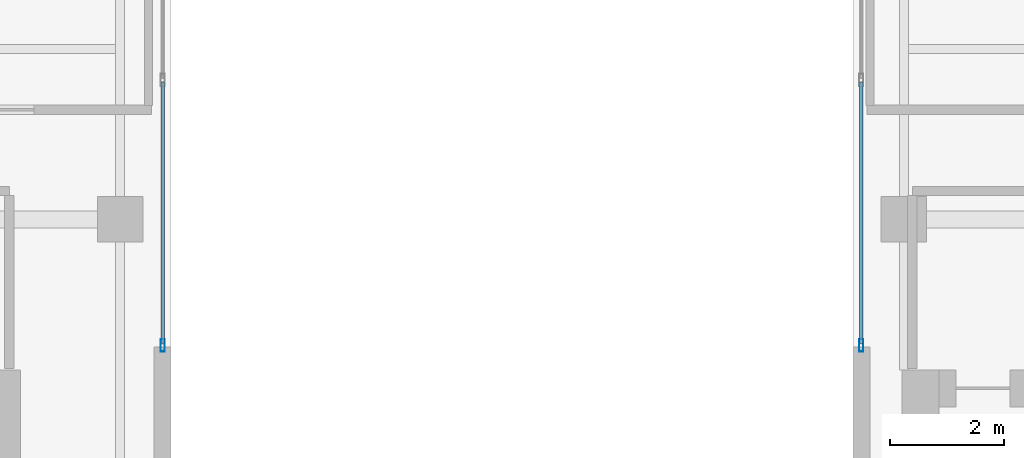
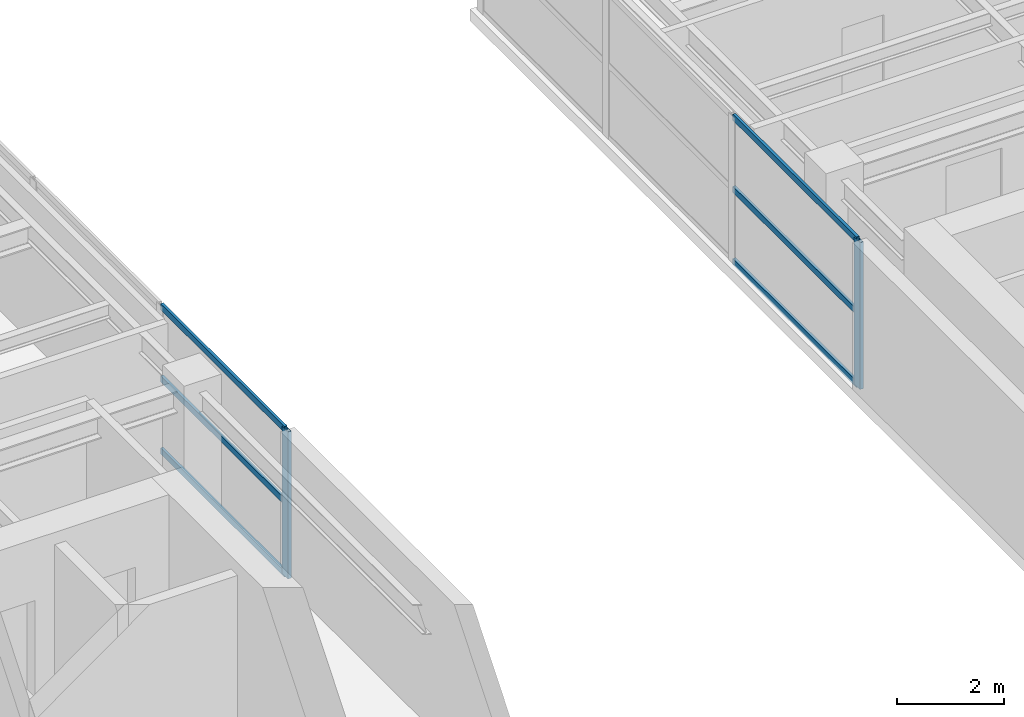
# One storey, part 9 of 22: 8 members, 2 elements without a shape of their own.
"""IFC4 building model written with IfcOpenShell, lengths in metres."""

import ifcopenshell
import ifcopenshell.guid

model = None  # the IFC model being written
_history = None  # IfcOwnerHistory: only IFC2X3 demands one
_inside = {}  # id of a spatial element -> (the spatial element, [elements in it])
_under = {}  # id of a project, library or spatial element -> (it, [spatial elements below it])
_declared = {}  # id of a project -> (the project, [libraries it declares])
_typed = {}  # id of a type object -> (the type object, [elements of that type])
_made_of = {}  # id of a material, layer set ... -> (it, [elements and type objects made of it])


def new_model(schema):
    """Start an empty IFC model of exactly this schema.

    Asked for "IFC4X3", IfcOpenShell would pick the latest addendum, in which some entities
    have other attributes; the version numbers below select the first issue.
    IFC2X3 requires an IfcOwnerHistory on every rooted entity: one is made here for all.
    """
    global model, _history
    if schema == "IFC4X3":
        model = ifcopenshell.file(schema_version=(4, 3, 0, 0))
    else:
        model = ifcopenshell.file(schema=schema)
    _inside.clear()
    _under.clear()
    _declared.clear()
    _typed.clear()
    _made_of.clear()
    _history = None
    if model.schema == "IFC2X3":
        org = make("IfcOrganization", Name="unknown")
        user = make(
            "IfcPersonAndOrganization",
            ThePerson=make("IfcPerson", FamilyName="unknown"),
            TheOrganization=org,
        )
        app = make(
            "IfcApplication",
            ApplicationDeveloper=org,
            Version="unknown",
            ApplicationFullName="unknown",
            ApplicationIdentifier="unknown",
        )
        _history = make(
            "IfcOwnerHistory",
            OwningUser=user,
            OwningApplication=app,
            ChangeAction="ADDED",
            CreationDate=0,
        )
    return model


def make(cls, **values):
    """One entity of the class cls with the attributes given. An attribute that is None is left unset."""
    return model.create_entity(
        cls, **{name: value for name, value in values.items() if value is not None}
    )


def rooted(cls, **values):
    """An entity with a GlobalId (a new one), such as an element, a storey or a relation."""
    return make(cls, GlobalId=ifcopenshell.guid.new(), OwnerHistory=_history, **values)


def si_unit(unit_type, name, prefix=None):
    """IfcSIUnit, for example si_unit("LENGTHUNIT", "METRE", prefix="MILLI")."""
    return make("IfcSIUnit", UnitType=unit_type, Prefix=prefix, Name=name)


def assignment(units):
    """IfcUnitAssignment: the units of a project."""
    return None if units is None else make("IfcUnitAssignment", Units=units)


def point(xyz):
    """IfcCartesianPoint."""
    return None if xyz is None else make("IfcCartesianPoint", Coordinates=xyz)


def direction(xyz):
    """IfcDirection."""
    return None if xyz is None else make("IfcDirection", DirectionRatios=xyz)


def frame(location, z_axis=None, x_axis=None):
    """IfcAxis2Placement3D, a coordinate frame: its origin and axes. An axis left out is left unset."""
    return make(
        "IfcAxis2Placement3D",
        Location=point(location),
        Axis=direction(z_axis),
        RefDirection=direction(x_axis),
    )


def frame_2d(location, x_axis=None):
    """IfcAxis2Placement2D, a coordinate frame in the plane: its origin and x axis."""
    return make(
        "IfcAxis2Placement2D", Location=point(location), RefDirection=direction(x_axis)
    )


def origin():
    """The frame at (0, 0, 0) with its axes left unset."""
    return frame((0.0, 0.0, 0.0))


def origin_2d():
    """The frame at (0, 0) in the plane with its x axis left unset."""
    return frame_2d((0.0, 0.0))


def place(relative_to, where):
    """IfcLocalPlacement: puts the frame where relative to a parent placement (None: the world)."""
    return make(
        "IfcLocalPlacement", PlacementRelTo=relative_to, RelativePlacement=where
    )


def context(
    kind, dimensions, precision=None, world=None, true_north=None, identifier=None
):
    """IfcGeometricRepresentationContext, for example the 3D "Model" context."""
    return make(
        "IfcGeometricRepresentationContext",
        ContextIdentifier=identifier,
        ContextType=kind,
        CoordinateSpaceDimension=dimensions,
        Precision=precision,
        WorldCoordinateSystem=world,
        TrueNorth=true_north,
    )


def subcontext(parent, identifier, kind, view, scale=None):
    """IfcGeometricRepresentationSubContext, for example "Body" below "Model"."""
    return make(
        "IfcGeometricRepresentationSubContext",
        ContextIdentifier=identifier,
        ContextType=kind,
        ParentContext=parent,
        TargetScale=scale,
        TargetView=view,
    )


def project(units=None, contexts=None):
    """IfcProject with its units and contexts."""
    return rooted(
        "IfcProject",
        Name="project",
        RepresentationContexts=contexts,
        UnitsInContext=assignment(units),
    )


def spatial(cls, under=None, at=None, **own):
    """A site, building, storey or space (cls), placed at a placement, below another one or the project."""
    s = rooted(cls, ObjectPlacement=at, **own)
    if under is not None:
        _under.setdefault(under.id(), (under, []))[1].append(s)
    return s


def profile(cls, at=None, kind="AREA", **sizes):
    """A parametric profile (cls). Its sizes go by their IFC names, for example OverallWidth=200.0."""
    return make(cls, ProfileType=kind, Position=at, **sizes)


def hollow_rectangle(**sizes):
    """IfcRectangleHollowProfileDef."""
    return profile("IfcRectangleHollowProfileDef", **sizes)


def extrude(swept, where, along, depth):
    """IfcExtrudedAreaSolid: the profile swept, set in the frame where, extruded along a direction by depth."""
    return make(
        "IfcExtrudedAreaSolid",
        SweptArea=swept,
        Position=where,
        ExtrudedDirection=direction(along),
        Depth=depth,
    )


def shape(context_of_items, identifier, shape_type, items):
    """IfcShapeRepresentation: the items that make up one representation, for example the "Body"."""
    return make(
        "IfcShapeRepresentation",
        ContextOfItems=context_of_items,
        RepresentationIdentifier=identifier,
        RepresentationType=shape_type,
        Items=items,
    )


def source(mapping_origin, context_of_items, identifier, shape_type, items):
    """IfcRepresentationMap: a shape defined once, which mapped items show again and again."""
    return make(
        "IfcRepresentationMap",
        MappingOrigin=mapping_origin,
        MappedRepresentation=shape(context_of_items, identifier, shape_type, items),
    )


def transform(
    local_origin,
    x_axis=None,
    y_axis=None,
    z_axis=None,
    scale=None,
    scale2=None,
    scale3=None,
    uniform=True,
):
    """IfcCartesianTransformationOperator3D, or its non-uniform kind. x_axis, y_axis, z_axis: its Axis1, 2, 3."""
    if uniform:
        return make(
            "IfcCartesianTransformationOperator3D",
            Axis1=direction(x_axis),
            Axis2=direction(y_axis),
            LocalOrigin=point(local_origin),
            Scale=scale,
            Axis3=direction(z_axis),
        )
    return make(
        "IfcCartesianTransformationOperator3DnonUniform",
        Axis1=direction(x_axis),
        Axis2=direction(y_axis),
        LocalOrigin=point(local_origin),
        Scale=scale,
        Axis3=direction(z_axis),
        Scale2=scale2,
        Scale3=scale3,
    )


def mapped(mapping_source, mapping_target):
    """IfcMappedItem: shows the shape of a source again, moved by a transform."""
    return make(
        "IfcMappedItem", MappingSource=mapping_source, MappingTarget=mapping_target
    )


def material(Name=None, Category=None):
    """IfcMaterial."""
    return make("IfcMaterial", Name=Name, Category=Category)


def layer(
    of_material, thickness, ventilated=None, Name=None, Category=None, Priority=None
):
    """IfcMaterialLayer: one layer of a wall or slab, of a material (None: an air gap)."""
    return make(
        "IfcMaterialLayer",
        Material=of_material,
        LayerThickness=thickness,
        IsVentilated=ventilated,
        Name=Name,
        Category=Category,
        Priority=Priority,
    )


def layer_set(layers, Name=None):
    """IfcMaterialLayerSet."""
    return make("IfcMaterialLayerSet", MaterialLayers=layers, LayerSetName=Name)


def material_profile(
    of_material, cross_section, Name=None, Category=None, Priority=None
):
    """IfcMaterialProfile: a cross section and its material."""
    return make(
        "IfcMaterialProfile",
        Name=Name,
        Material=of_material,
        Profile=cross_section,
        Priority=Priority,
        Category=Category,
    )


def profile_set(profiles, Name=None, composite=None):
    """IfcMaterialProfileSet."""
    return make(
        "IfcMaterialProfileSet",
        Name=Name,
        MaterialProfiles=profiles,
        CompositeProfile=composite,
    )


def made_of(thing, what):
    """Note that an element or type object is made of a material, layer set ...; save() writes the relation."""
    if what is not None:
        _made_of.setdefault(what.id(), (what, []))[1].append(thing)
    return thing


def type_object(cls, material=None, **own):
    """A type object (cls), such as IfcWallType, which elements share."""
    return made_of(rooted(cls, **own), material)


def element(
    cls,
    number,
    at=None,
    inside=None,
    cuts=None,
    type_object=None,
    material=None,
    context=None,
    identifier="Body",
    shape_type=None,
    held_by="IfcProductDefinitionShape",
    body=None,
    shapes=None,
    **own,
):
    """One element of the class cls, such as IfcWall. Its Tag is "e" and its number.

    at: its placement. inside: the storey or other place that contains it. cuts: it is an
    opening in that element (IfcRelVoidsElement). A single representation is given by context,
    identifier, shape_type and body (its items); several are given by shapes. held_by: the class
    of the entity that holds the representations. save() writes the other relations.
    """
    e = rooted(cls, Tag="e%d" % number, ObjectPlacement=at, **own)
    if body is not None:
        shapes = [shape(context, identifier, shape_type, body)]
    if shapes is not None:
        e.Representation = make(held_by, Representations=shapes)
    if inside is not None:
        _inside.setdefault(inside.id(), (inside, []))[1].append(e)
    if cuts is not None:
        rooted(
            "IfcRelVoidsElement", RelatingBuildingElement=cuts, RelatedOpeningElement=e
        )
    if type_object is not None:
        _typed.setdefault(type_object.id(), (type_object, []))[1].append(e)
    return made_of(e, material)


def aggregate(whole, parts):
    """IfcRelAggregates: a whole, such as a stair, and the parts it consists of."""
    return rooted("IfcRelAggregates", RelatingObject=whole, RelatedObjects=parts)


def save(model, path):
    """Write the relations noted so far, then the file.

    IfcRelAggregates (storeys below a building ...), IfcRelContainedInSpatialStructure (elements
    in a storey), IfcRelDefinesByType, IfcRelAssociatesMaterial and IfcRelDeclares: one each for
    every whole, place, type object, material and project.
    """
    for whole, parts in _under.values():
        aggregate(whole, parts)
    for where, things in _inside.values():
        rooted(
            "IfcRelContainedInSpatialStructure",
            RelatedElements=things,
            RelatingStructure=where,
        )
    for kind, things in _typed.values():
        rooted("IfcRelDefinesByType", RelatedObjects=things, RelatingType=kind)
    for what, things in _made_of.values():
        rooted("IfcRelAssociatesMaterial", RelatedObjects=things, RelatingMaterial=what)
    for by, libraries in _declared.values():
        rooted("IfcRelDeclares", RelatingContext=by, RelatedDefinitions=libraries)
    model.write(path)


model = new_model("IFC4")

# Units and contexts
model_context = context("Model", 3, precision=1e-05, world=origin(), true_north=direction((0.0, 1.0)))
body_context = subcontext(model_context, "Body", "Model", "MODEL_VIEW")
ifc_project = project(units=[si_unit("LENGTHUNIT", "METRE"), si_unit("AREAUNIT", "SQUARE_METRE"), si_unit("VOLUMEUNIT", "CUBIC_METRE"), si_unit("PLANEANGLEUNIT", "RADIAN"), si_unit("MASSUNIT", "GRAM", prefix="KILO")], contexts=[model_context])

# Site, building, storey
site_placement = place(None, origin())
site = spatial("IfcSite", under=ifc_project, at=site_placement, CompositionType="ELEMENT")
building_placement = place(site_placement, origin())
building = spatial("IfcBuilding", under=site, at=building_placement, Name="Khoralis Quay Care Tower", CompositionType="ELEMENT")
storey_placement = place(building_placement, frame((0.0, 0.0, 209.699951171875)))
storey = spatial("IfcBuildingStorey", under=building, at=storey_placement, Name="L55", CompositionType="ELEMENT", Elevation=209.699951171875)

# Curtain wall, member
ifc_material = material(Name="Pale anodised aluminium", Category="aluminium")
ifc_layer = layer(ifc_material, 0.18994140625)
ifc_layer_set = layer_set([ifc_layer], Name="Pale anodised aluminium")
curtain_wall_type = type_object("IfcCurtainWallType", Name="CW-SYS-PORTAL", PredefinedType="NOTDEFINED", material=ifc_layer_set)
curtain_wall_1_placement = place(storey_placement, origin())
curtain_wall_1 = element("IfcCurtainWall", 1, at=curtain_wall_1_placement, inside=storey, type_object=curtain_wall_type, Name="L55 Unitised Curtain Wall CW-VP-L55-P1-N", PredefinedType="NOTDEFINED")
ifc_material_profile_1 = material_profile(ifc_material, hollow_rectangle(XDim=0.074951171875, YDim=0.219970703125, WallThickness=0.00390625, at=origin_2d()), Name="Pale anodised aluminium")
ifc_profile_set_1 = profile_set([ifc_material_profile_1], Name="Pale anodised aluminium")
member_type_1 = type_object("IfcMemberType", Name="CW-MUL-220", PredefinedType="MULLION", material=ifc_profile_set_1)
shared_shape_1 = source(origin(), body_context, "Body", "SweptSolid", [
    extrude(hollow_rectangle(XDim=0.074951171875, YDim=0.219970703125, WallThickness=0.00390625, at=origin_2d()), origin(), (0.0, 0.0, 1.0), 3.340087890625),
])
member_1_placement = place(storey_placement, frame((17.85009765625, 27.780029296875, 0.0), z_axis=(0.0, 0.0, 1.0), x_axis=(-1.0, 0.0, 0.0)))
member_1 = element("IfcMember", 2, at=member_1_placement, type_object=member_type_1, Name="CW4 mullion 1", PredefinedType="MULLION", context=body_context, shape_type="MappedRepresentation", body=[
    mapped(shared_shape_1, transform((0.0, 0.0, 0.0), scale=1.0)),
])

curtain_wall_2_placement = place(storey_placement, origin())
curtain_wall_2 = element("IfcCurtainWall", 3, at=curtain_wall_2_placement, inside=storey, type_object=curtain_wall_type, Name="L55 Unitised Curtain Wall CW-VP-L55-P2-N", PredefinedType="NOTDEFINED")
member_2_placement = place(storey_placement, frame((30.14990234375, 27.780029296875, 0.0), z_axis=(0.0, 0.0, 1.0), x_axis=(-1.0, 0.0, 0.0)))
member_2 = element("IfcMember", 4, at=member_2_placement, type_object=member_type_1, Name="CW4 mullion 1", PredefinedType="MULLION", context=body_context, shape_type="MappedRepresentation", body=[
    mapped(shared_shape_1, transform((0.0, 0.0, 0.0), scale=1.0)),
])

# Member
ifc_material_profile_2 = material_profile(ifc_material, hollow_rectangle(XDim=0.06005859375, YDim=0.139892578125, WallThickness=0.00390625, at=origin_2d()), Name="Pale anodised aluminium")
ifc_profile_set_2 = profile_set([ifc_material_profile_2], Name="Pale anodised aluminium")
member_type_2 = type_object("IfcMemberType", Name="CW-TRN-140", PredefinedType="USERDEFINED", material=ifc_profile_set_2)
shared_shape_2 = source(origin(), body_context, "Body", "SweptSolid", [
    extrude(hollow_rectangle(XDim=0.06005859375, YDim=0.139892578125, WallThickness=0.00390625, at=origin_2d()), origin(), (0.0, 0.0, 1.0), 4.60986328125),
])
member_3_placement = place(storey_placement, frame((17.85009765625, 27.81005859375, 0.030029296875), z_axis=(0.0, 1.0, 0.0), x_axis=(-1.0, 0.0, 0.0)))
member_3 = element("IfcMember", 5, at=member_3_placement, type_object=member_type_2, Name="CW4 transom 1.1", ObjectType="TRANSOM", PredefinedType="USERDEFINED", context=body_context, shape_type="MappedRepresentation", body=[
    mapped(shared_shape_2, transform((0.0, 0.0, 0.0), scale=1.0)),
])

member_4_placement = place(storey_placement, frame((17.85009765625, 27.81005859375, 1.670166015625), z_axis=(0.0, 1.0, 0.0), x_axis=(-1.0, 0.0, 0.0)))
member_4 = element("IfcMember", 6, at=member_4_placement, type_object=member_type_2, Name="CW4 transom 1.2", ObjectType="TRANSOM", PredefinedType="USERDEFINED", context=body_context, shape_type="MappedRepresentation", body=[
    mapped(shared_shape_2, transform((0.0, 0.0, 0.0), scale=1.0)),
])

member_5_placement = place(storey_placement, frame((17.85009765625, 27.81005859375, 3.31005859375), z_axis=(0.0, 1.0, 0.0), x_axis=(-1.0, 0.0, 0.0)))
member_5 = element("IfcMember", 7, at=member_5_placement, type_object=member_type_2, Name="CW4 transom 1.3", ObjectType="TRANSOM", PredefinedType="USERDEFINED", context=body_context, shape_type="MappedRepresentation", body=[
    mapped(shared_shape_2, transform((0.0, 0.0, 0.0), scale=1.0)),
])

aggregate(curtain_wall_1, [member_1, member_3, member_4, member_5])

member_6_placement = place(storey_placement, frame((30.14990234375, 27.81005859375, 0.030029296875), z_axis=(0.0, 1.0, 0.0), x_axis=(-1.0, 0.0, 0.0)))
member_6 = element("IfcMember", 8, at=member_6_placement, type_object=member_type_2, Name="CW4 transom 1.1", ObjectType="TRANSOM", PredefinedType="USERDEFINED", context=body_context, shape_type="MappedRepresentation", body=[
    mapped(shared_shape_2, transform((0.0, 0.0, 0.0), scale=1.0)),
])

member_7_placement = place(storey_placement, frame((30.14990234375, 27.81005859375, 1.670166015625), z_axis=(0.0, 1.0, 0.0), x_axis=(-1.0, 0.0, 0.0)))
member_7 = element("IfcMember", 9, at=member_7_placement, type_object=member_type_2, Name="CW4 transom 1.2", ObjectType="TRANSOM", PredefinedType="USERDEFINED", context=body_context, shape_type="MappedRepresentation", body=[
    mapped(shared_shape_2, transform((0.0, 0.0, 0.0), scale=1.0)),
])

member_8_placement = place(storey_placement, frame((30.14990234375, 27.81005859375, 3.31005859375), z_axis=(0.0, 1.0, 0.0), x_axis=(-1.0, 0.0, 0.0)))
member_8 = element("IfcMember", 10, at=member_8_placement, type_object=member_type_2, Name="CW4 transom 1.3", ObjectType="TRANSOM", PredefinedType="USERDEFINED", context=body_context, shape_type="MappedRepresentation", body=[
    mapped(shared_shape_2, transform((0.0, 0.0, 0.0), scale=1.0)),
])

aggregate(curtain_wall_2, [member_2, member_6, member_7, member_8])

save(model, "model.ifc")
